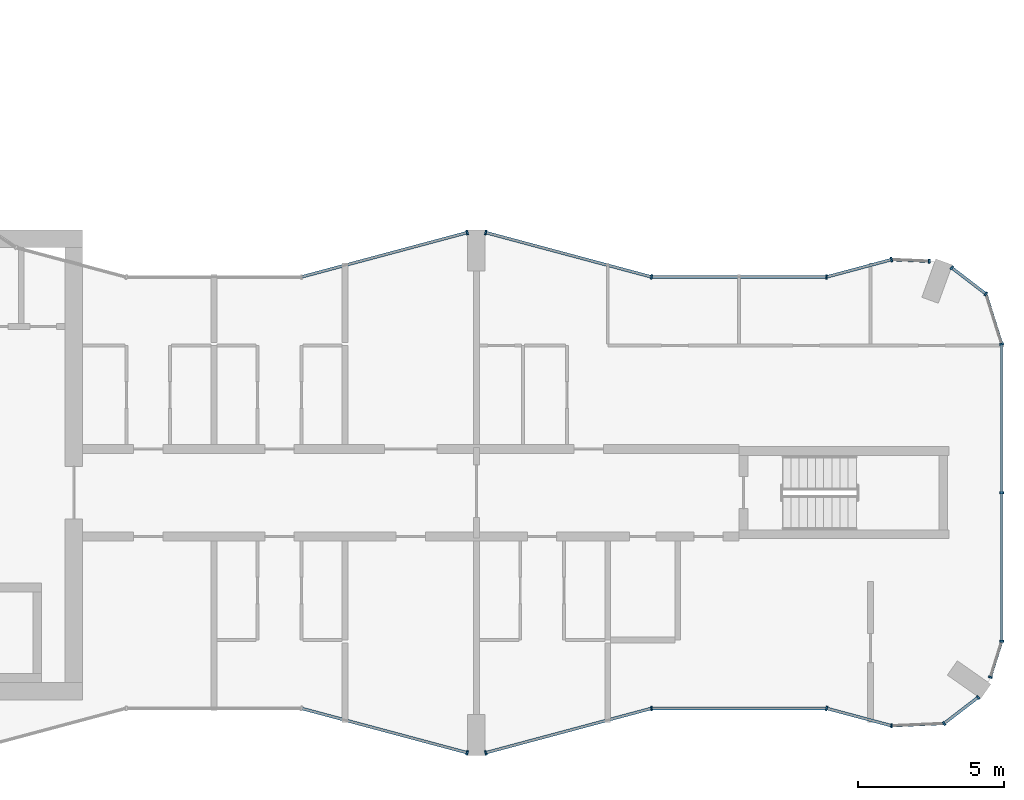
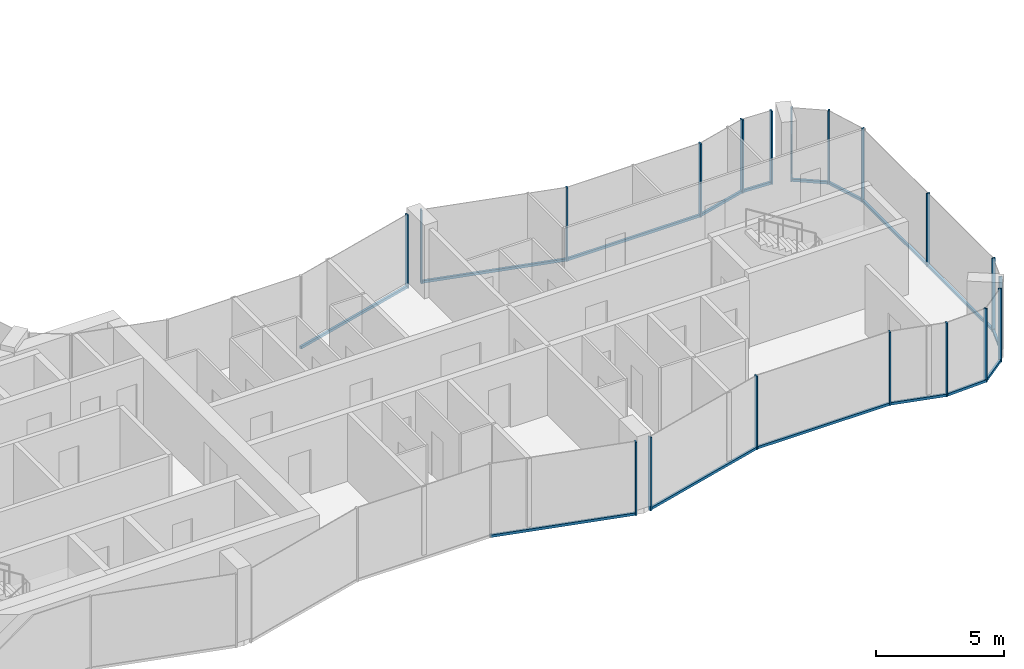
# One storey, part 6 of 16: 34 members, 15 elements without a shape of their own.
"""IFC4 building model written with IfcOpenShell, lengths in metres."""

from ifc_helpers import new_model, si_unit, direction, frame, origin, origin_2d, place, context, subcontext, project, spatial, rectangle, extrude, material, layer, layer_set, material_profile, profile_set, type_object, element, aggregate, save


model = new_model("IFC4")

# Units and contexts
model_context = context("Model", 3, precision=1e-05, world=origin(), true_north=direction((0.0, 1.0)))
body_context = subcontext(model_context, "Body", "Model", "MODEL_VIEW")
ifc_project = project(units=[si_unit("LENGTHUNIT", "METRE"), si_unit("AREAUNIT", "SQUARE_METRE"), si_unit("VOLUMEUNIT", "CUBIC_METRE"), si_unit("PLANEANGLEUNIT", "RADIAN"), si_unit("MASSUNIT", "GRAM", prefix="KILO")], contexts=[model_context])

# Site, building, storey
site_placement = place(None, origin())
site = spatial("IfcSite", under=ifc_project, at=site_placement, CompositionType="ELEMENT")
building_placement = place(site_placement, origin())
building = spatial("IfcBuilding", under=site, at=building_placement, Name="Plateau Cross Towers", CompositionType="ELEMENT")
storey_placement = place(building_placement, frame((0.0, 0.0, 167.39990234375)))
storey = spatial("IfcBuildingStorey", under=building, at=storey_placement, Name="L43", CompositionType="ELEMENT", Elevation=167.39990234375)

# Curtain wall, member
ifc_material_1 = material(Name="Dark low-iron glass", Category="glass")
ifc_layer_1 = layer(ifc_material_1, 0.239990234375)
ifc_layer_set_1 = layer_set([ifc_layer_1], Name="Dark low-iron glass")
curtain_wall_type_1 = type_object("IfcCurtainWallType", Name="Curtain wall flush unitised CW-B", PredefinedType="NOTDEFINED", material=ifc_layer_set_1)
curtain_wall_1_placement = place(storey_placement, origin())
curtain_wall_1 = element("IfcCurtainWall", 1, at=curtain_wall_1_placement, inside=storey, type_object=curtain_wall_type_1, Name="ENV/A/L43/A502_10", PredefinedType="NOTDEFINED")
ifc_material_2 = material(Name="Black anodised aluminium", Category="aluminium")
ifc_material_profile_1 = material_profile(ifc_material_2, rectangle(XDim=0.06005859375, YDim=0.139892578125, at=origin_2d()), Name="MULLION 60x140")
ifc_profile_set_1 = profile_set([ifc_material_profile_1], Name="Black anodised aluminium")
member_type_1 = type_object("IfcMemberType", Name="Mullion 60x140 flush unitised", PredefinedType="MULLION", material=ifc_profile_set_1)
member_1_placement = place(storey_placement, frame((50.223876953125, 1.01123046875, -0.25), z_axis=(0.0, 0.0, 1.0), x_axis=(0.999043701491, 0.043722791671, 0.0)))
member_1 = element("IfcMember", 2, at=member_1_placement, type_object=member_type_1, Name="CW-B mullion 1", PredefinedType="MULLION", context=body_context, shape_type="SweptSolid", body=[
    extrude(rectangle(XDim=0.06005859375, YDim=0.139892578125, at=origin_2d()), origin(), (0.0, 0.0, 1.0), 3.5),
])

# Curtain wall, members
curtain_wall_2_placement = place(storey_placement, origin())
curtain_wall_2 = element("IfcCurtainWall", 3, at=curtain_wall_2_placement, inside=storey, type_object=curtain_wall_type_1, Name="ENV/A/L43/A520_11", PredefinedType="NOTDEFINED")
member_2_placement = place(storey_placement, frame((52.0263671875, 1.090087890625, -0.25), z_axis=(0.0, 0.0, 1.0), x_axis=(0.793315514529, 0.608810721331, 0.0)))
member_2 = element("IfcMember", 4, at=member_2_placement, type_object=member_type_1, Name="CW-B mullion 1", PredefinedType="MULLION", context=body_context, shape_type="SweptSolid", body=[
    extrude(rectangle(XDim=0.06005859375, YDim=0.139892578125, at=origin_2d()), origin(), (0.0, 0.0, 1.0), 3.5),
])
member_3_placement = place(storey_placement, frame((53.193603515625, 1.986083984375, -0.25), z_axis=(0.0, 0.0, 1.0), x_axis=(0.793315514529, 0.608810721331, 0.0)))
member_3 = element("IfcMember", 5, at=member_3_placement, type_object=member_type_1, Name="CW-B mullion 2", PredefinedType="MULLION", context=body_context, shape_type="SweptSolid", body=[
    extrude(rectangle(XDim=0.06005859375, YDim=0.139892578125, at=origin_2d()), origin(), (0.0, 0.0, 1.0), 3.5),
])

# Curtain wall, member
curtain_wall_3_placement = place(storey_placement, origin())
curtain_wall_3 = element("IfcCurtainWall", 6, at=curtain_wall_3_placement, inside=storey, type_object=curtain_wall_type_1, Name="ENV/A/L43/A536_27", PredefinedType="NOTDEFINED")
member_4_placement = place(storey_placement, frame((53.611083984375, 2.67529296875, -0.25), z_axis=(0.0, 0.0, 1.0), x_axis=(0.300686174994, 0.95372313811, 0.0)))
member_4 = element("IfcMember", 7, at=member_4_placement, type_object=member_type_1, Name="CW-B mullion 1", PredefinedType="MULLION", context=body_context, shape_type="SweptSolid", body=[
    extrude(rectangle(XDim=0.06005859375, YDim=0.139892578125, at=origin_2d()), origin(), (0.0, 0.0, 1.0), 3.5),
])

# Curtain wall, members
curtain_wall_4_placement = place(storey_placement, origin())
curtain_wall_4 = element("IfcCurtainWall", 8, at=curtain_wall_4_placement, inside=storey, type_object=curtain_wall_type_1, Name="ENV/A/L43/A540_39", PredefinedType="NOTDEFINED")
member_5_placement = place(storey_placement, frame((54.0, 3.9091796875, -0.25), z_axis=(0.0, 0.0, 1.0), x_axis=(0.0, 1.0, 0.0)))
member_5 = element("IfcMember", 9, at=member_5_placement, type_object=member_type_1, Name="CW-B mullion 1", PredefinedType="MULLION", context=body_context, shape_type="SweptSolid", body=[
    extrude(rectangle(XDim=0.06005859375, YDim=0.139892578125, at=origin_2d()), origin(), (0.0, 0.0, 1.0), 3.5),
])
member_6_placement = place(storey_placement, frame((54.0, 9.0, -0.25), z_axis=(0.0, 0.0, 1.0), x_axis=(0.0, 1.0, 0.0)))
member_6 = element("IfcMember", 10, at=member_6_placement, type_object=member_type_1, Name="CW-B mullion 2", PredefinedType="MULLION", context=body_context, shape_type="SweptSolid", body=[
    extrude(rectangle(XDim=0.06005859375, YDim=0.139892578125, at=origin_2d()), origin(), (0.0, 0.0, 1.0), 3.5),
])

# Curtain wall, member
curtain_wall_5_placement = place(storey_placement, origin())
curtain_wall_5 = element("IfcCurtainWall", 11, at=curtain_wall_5_placement, inside=storey, type_object=curtain_wall_type_1, Name="ENV/A/L43/A540_141", PredefinedType="NOTDEFINED")
member_7_placement = place(storey_placement, frame((54.0, 14.0908203125, -0.25), z_axis=(0.0, 0.0, 1.0), x_axis=(-0.300686174994, 0.95372313811, 0.0)))
member_7 = element("IfcMember", 12, at=member_7_placement, type_object=member_type_1, Name="CW-B mullion 1", PredefinedType="MULLION", context=body_context, shape_type="SweptSolid", body=[
    extrude(rectangle(XDim=0.06005859375, YDim=0.139892578125, at=origin_2d()), origin(), (0.0, 0.0, 1.0), 3.5),
])

# Curtain wall, members
curtain_wall_6_placement = place(storey_placement, origin())
curtain_wall_6 = element("IfcCurtainWall", 13, at=curtain_wall_6_placement, inside=storey, type_object=curtain_wall_type_1, Name="ENV/A/L43/A535_158", PredefinedType="NOTDEFINED")
member_8_placement = place(storey_placement, frame((53.45751953125, 15.8115234375, -0.25), z_axis=(0.0, 0.0, 1.0), x_axis=(-0.793315514529, 0.608810721331, 0.0)))
member_8 = element("IfcMember", 14, at=member_8_placement, type_object=member_type_1, Name="CW-B mullion 1", PredefinedType="MULLION", context=body_context, shape_type="SweptSolid", body=[
    extrude(rectangle(XDim=0.06005859375, YDim=0.139892578125, at=origin_2d()), origin(), (0.0, 0.0, 1.0), 3.5),
])
member_9_placement = place(storey_placement, frame((52.290283203125, 16.707275390625, -0.25), z_axis=(0.0, 0.0, 1.0), x_axis=(-0.793315514529, 0.608810721331, 0.0)))
member_9 = element("IfcMember", 15, at=member_9_placement, type_object=member_type_1, Name="CW-B mullion 2", PredefinedType="MULLION", context=body_context, shape_type="SweptSolid", body=[
    extrude(rectangle(XDim=0.06005859375, YDim=0.139892578125, at=origin_2d()), origin(), (0.0, 0.0, 1.0), 3.5),
])

# Curtain wall, member
curtain_wall_7_placement = place(storey_placement, origin())
curtain_wall_7 = element("IfcCurtainWall", 16, at=curtain_wall_7_placement, inside=storey, type_object=curtain_wall_type_1, Name="ENV/A/L43/A515_169", PredefinedType="NOTDEFINED")
member_10_placement = place(storey_placement, frame((51.516357421875, 16.93212890625, -0.25), z_axis=(0.0, 0.0, 1.0), x_axis=(-0.999043701491, 0.043722791671, 0.0)))
member_10 = element("IfcMember", 17, at=member_10_placement, type_object=member_type_1, Name="CW-B mullion 1", PredefinedType="MULLION", context=body_context, shape_type="SweptSolid", body=[
    extrude(rectangle(XDim=0.06005859375, YDim=0.139892578125, at=origin_2d()), origin(), (0.0, 0.0, 1.0), 3.5),
])

ifc_layer_2 = layer(ifc_material_1, 0.260009765625)
ifc_layer_set_2 = layer_set([ifc_layer_2], Name="Dark low-iron glass")
curtain_wall_type_2 = type_object("IfcCurtainWallType", Name="Curtain wall fluted unitised CW-A", PredefinedType="NOTDEFINED", material=ifc_layer_set_2)
curtain_wall_8_placement = place(storey_placement, origin())
curtain_wall_8 = element("IfcCurtainWall", 18, at=curtain_wall_8_placement, inside=storey, type_object=curtain_wall_type_2, Name="ENV/A/L43/A300_16", PredefinedType="NOTDEFINED")
ifc_material_profile_2 = material_profile(ifc_material_2, rectangle(XDim=0.06005859375, YDim=0.159912109375, at=origin_2d()), Name="MULLION 60x160")
ifc_profile_set_2 = profile_set([ifc_material_profile_2], Name="Black anodised aluminium")
member_type_2 = type_object("IfcMemberType", Name="Mullion 60x160 fluted unitised", PredefinedType="MULLION", material=ifc_profile_set_2)
member_11_placement = place(storey_placement, frame((35.68212890625, 0.085205078125, -0.25), z_axis=(0.0, 0.0, 1.0), x_axis=(0.965957983404, -0.258699003279, 0.0)))
member_11 = element("IfcMember", 19, at=member_11_placement, type_object=member_type_2, Name="CW-A mullion 2", PredefinedType="MULLION", context=body_context, shape_type="SweptSolid", body=[
    extrude(rectangle(XDim=0.06005859375, YDim=0.159912109375, at=origin_2d()), origin(), (0.0, 0.0, 1.0), 3.5),
])

curtain_wall_9_placement = place(storey_placement, origin())
curtain_wall_9 = element("IfcCurtainWall", 20, at=curtain_wall_9_placement, inside=storey, type_object=curtain_wall_type_2, Name="ENV/A/L43/A363_1", PredefinedType="NOTDEFINED")
member_12_placement = place(storey_placement, frame((36.31787109375, 0.085205078125, -0.25), z_axis=(0.0, 0.0, 1.0), x_axis=(0.965957983404, 0.258699003279, 0.0)))
member_12 = element("IfcMember", 21, at=member_12_placement, type_object=member_type_2, Name="CW-A mullion 1", PredefinedType="MULLION", context=body_context, shape_type="SweptSolid", body=[
    extrude(rectangle(XDim=0.06005859375, YDim=0.159912109375, at=origin_2d()), origin(), (0.0, 0.0, 1.0), 3.5),
])

curtain_wall_10_placement = place(storey_placement, origin())
curtain_wall_10 = element("IfcCurtainWall", 22, at=curtain_wall_10_placement, inside=storey, type_object=curtain_wall_type_2, Name="ENV/A/L43/A420_16", PredefinedType="NOTDEFINED")
member_13_placement = place(storey_placement, frame((42.0, 1.60693359375, -0.25), z_axis=(0.0, 0.0, 1.0), x_axis=(1.0, 0.0, 0.0)))
member_13 = element("IfcMember", 23, at=member_13_placement, type_object=member_type_2, Name="CW-A mullion 1", PredefinedType="MULLION", context=body_context, shape_type="SweptSolid", body=[
    extrude(rectangle(XDim=0.06005859375, YDim=0.159912109375, at=origin_2d()), origin(), (0.0, 0.0, 1.0), 3.5),
])

curtain_wall_11_placement = place(storey_placement, origin())
curtain_wall_11 = element("IfcCurtainWall", 24, at=curtain_wall_11_placement, inside=storey, type_object=curtain_wall_type_2, Name="ENV/A/L43/A480_16", PredefinedType="NOTDEFINED")
member_14_placement = place(storey_placement, frame((48.0, 1.60693359375, -0.25), z_axis=(0.0, 0.0, 1.0), x_axis=(0.965957962328, -0.258699081978, 0.0)))
member_14 = element("IfcMember", 25, at=member_14_placement, type_object=member_type_2, Name="CW-A mullion 1", PredefinedType="MULLION", context=body_context, shape_type="SweptSolid", body=[
    extrude(rectangle(XDim=0.06005859375, YDim=0.159912109375, at=origin_2d()), origin(), (0.0, 0.0, 1.0), 3.5),
])

curtain_wall_12_placement = place(storey_placement, origin())
curtain_wall_12 = element("IfcCurtainWall", 26, at=curtain_wall_12_placement, inside=storey, type_object=curtain_wall_type_2, Name="ENV/A/L43/A502_170", PredefinedType="NOTDEFINED")
member_15_placement = place(storey_placement, frame((50.223876953125, 16.98876953125, -0.25), z_axis=(0.0, 0.0, 1.0), x_axis=(-0.965957962328, -0.258699081978, 0.0)))
member_15 = element("IfcMember", 27, at=member_15_placement, type_object=member_type_2, Name="CW-A mullion 1", PredefinedType="MULLION", context=body_context, shape_type="SweptSolid", body=[
    extrude(rectangle(XDim=0.06005859375, YDim=0.159912109375, at=origin_2d()), origin(), (0.0, 0.0, 1.0), 3.5),
])

curtain_wall_13_placement = place(storey_placement, origin())
curtain_wall_13 = element("IfcCurtainWall", 28, at=curtain_wall_13_placement, inside=storey, type_object=curtain_wall_type_2, Name="ENV/A/L43/A480_164", PredefinedType="NOTDEFINED")
member_16_placement = place(storey_placement, frame((48.0, 16.39306640625, -0.25), z_axis=(0.0, 0.0, 1.0), x_axis=(-1.0, 0.0, 0.0)))
member_16 = element("IfcMember", 29, at=member_16_placement, type_object=member_type_2, Name="CW-A mullion 1", PredefinedType="MULLION", context=body_context, shape_type="SweptSolid", body=[
    extrude(rectangle(XDim=0.06005859375, YDim=0.159912109375, at=origin_2d()), origin(), (0.0, 0.0, 1.0), 3.5),
])

# Curtain wall, members
curtain_wall_14_placement = place(storey_placement, origin())
curtain_wall_14 = element("IfcCurtainWall", 30, at=curtain_wall_14_placement, inside=storey, type_object=curtain_wall_type_2, Name="ENV/A/L43/A420_164", PredefinedType="NOTDEFINED")
member_17_placement = place(storey_placement, frame((42.0, 16.39306640625, -0.25), z_axis=(0.0, 0.0, 1.0), x_axis=(-0.965957983404, 0.258699003279, 0.0)))
member_17 = element("IfcMember", 31, at=member_17_placement, type_object=member_type_2, Name="CW-A mullion 1", PredefinedType="MULLION", context=body_context, shape_type="SweptSolid", body=[
    extrude(rectangle(XDim=0.06005859375, YDim=0.159912109375, at=origin_2d()), origin(), (0.0, 0.0, 1.0), 3.5),
])
member_18_placement = place(storey_placement, frame((36.31787109375, 17.914794921875, -0.25), z_axis=(0.0, 0.0, 1.0), x_axis=(-0.965957983404, 0.258699003279, 0.0)))
member_18 = element("IfcMember", 32, at=member_18_placement, type_object=member_type_2, Name="CW-A mullion 2", PredefinedType="MULLION", context=body_context, shape_type="SweptSolid", body=[
    extrude(rectangle(XDim=0.06005859375, YDim=0.159912109375, at=origin_2d()), origin(), (0.0, 0.0, 1.0), 3.5),
])

# Curtain wall, member
curtain_wall_15_placement = place(storey_placement, origin())
curtain_wall_15 = element("IfcCurtainWall", 33, at=curtain_wall_15_placement, inside=storey, type_object=curtain_wall_type_2, Name="ENV/A/L43/A357_179", PredefinedType="NOTDEFINED")
member_19_placement = place(storey_placement, frame((35.68212890625, 17.914794921875, -0.25), z_axis=(0.0, 0.0, 1.0), x_axis=(-0.965957983404, -0.258699003279, 0.0)))
member_19 = element("IfcMember", 34, at=member_19_placement, type_object=member_type_2, Name="CW-A mullion 1", PredefinedType="MULLION", context=body_context, shape_type="SweptSolid", body=[
    extrude(rectangle(XDim=0.06005859375, YDim=0.159912109375, at=origin_2d()), origin(), (0.0, 0.0, 1.0), 3.5),
])

# Member
ifc_material_profile_3 = material_profile(ifc_material_2, rectangle(XDim=0.10009765625, YDim=0.1201171875, at=origin_2d()), Name="TRANSOM 100x120")
ifc_profile_set_3 = profile_set([ifc_material_profile_3], Name="Black anodised aluminium")
member_type_3 = type_object("IfcMemberType", Name="Transom 100x120 flush unitised", PredefinedType="USERDEFINED", material=ifc_profile_set_3)
member_20_placement = place(storey_placement, frame((50.223876953125, 1.01123046875, -0.18994140625), z_axis=(0.999044377355, 0.043707345779, 0.0), x_axis=(-0.043707345779, 0.999044377355, 0.0)))
member_20 = element("IfcMember", 35, at=member_20_placement, type_object=member_type_3, Name="CW-B transom", ObjectType="TRANSOM", PredefinedType="USERDEFINED", context=body_context, shape_type="SweptSolid", body=[
    extrude(rectangle(XDim=0.10009765625, YDim=0.1201171875, at=origin_2d()), origin(), (0.0, 0.0, 1.0), 1.80419921875),
])

aggregate(curtain_wall_1, [member_1, member_20])

member_21_placement = place(storey_placement, frame((52.0263671875, 1.090087890625, -0.18994140625), z_axis=(0.793240368515, 0.608908628415, 0.0), x_axis=(-0.608908628415, 0.793240368515, 0.0)))
member_21 = element("IfcMember", 36, at=member_21_placement, type_object=member_type_3, Name="CW-B transom", ObjectType="TRANSOM", PredefinedType="USERDEFINED", context=body_context, shape_type="SweptSolid", body=[
    extrude(rectangle(XDim=0.10009765625, YDim=0.1201171875, at=origin_2d()), origin(), (0.0, 0.0, 1.0), 1.471435546875),
])

aggregate(curtain_wall_2, [member_2, member_3, member_21])

member_22_placement = place(storey_placement, frame((53.611083984375, 2.67529296875, -0.18994140625), z_axis=(0.300616528216, 0.953745093284, 0.0), x_axis=(-0.953745093284, 0.300616528216, 0.0)))
member_22 = element("IfcMember", 37, at=member_22_placement, type_object=member_type_3, Name="CW-B transom", ObjectType="TRANSOM", PredefinedType="USERDEFINED", context=body_context, shape_type="SweptSolid", body=[
    extrude(rectangle(XDim=0.10009765625, YDim=0.1201171875, at=origin_2d()), origin(), (0.0, 0.0, 1.0), 1.293701171875),
])

aggregate(curtain_wall_3, [member_4, member_22])

member_23_placement = place(storey_placement, frame((54.0, 3.9091796875, -0.18994140625), z_axis=(0.0, 1.0, 0.0), x_axis=(-1.0, 0.0, 0.0)))
member_23 = element("IfcMember", 38, at=member_23_placement, type_object=member_type_3, Name="CW-B transom", ObjectType="TRANSOM", PredefinedType="USERDEFINED", context=body_context, shape_type="SweptSolid", body=[
    extrude(rectangle(XDim=0.10009765625, YDim=0.1201171875, at=origin_2d()), origin(), (0.0, 0.0, 1.0), 10.181640625),
])

aggregate(curtain_wall_4, [member_5, member_6, member_23])

member_24_placement = place(storey_placement, frame((54.0, 14.0908203125, -0.18994140625), z_axis=(-0.30067799945, 0.953725715626, 0.0), x_axis=(-0.953725715626, -0.30067799945, 0.0)))
member_24 = element("IfcMember", 39, at=member_24_placement, type_object=member_type_3, Name="CW-B transom", ObjectType="TRANSOM", PredefinedType="USERDEFINED", context=body_context, shape_type="SweptSolid", body=[
    extrude(rectangle(XDim=0.10009765625, YDim=0.1201171875, at=origin_2d()), origin(), (0.0, 0.0, 1.0), 1.80419921875),
])

aggregate(curtain_wall_5, [member_7, member_24])

member_25_placement = place(storey_placement, frame((53.45751953125, 15.8115234375, -0.18994140625), z_axis=(-0.793320508571, 0.608804213751, 0.0), x_axis=(-0.608804213751, -0.793320508571, 0.0)))
member_25 = element("IfcMember", 40, at=member_25_placement, type_object=member_type_3, Name="CW-B transom", ObjectType="TRANSOM", PredefinedType="USERDEFINED", context=body_context, shape_type="SweptSolid", body=[
    extrude(rectangle(XDim=0.10009765625, YDim=0.1201171875, at=origin_2d()), origin(), (0.0, 0.0, 1.0), 1.471435546875),
])

aggregate(curtain_wall_6, [member_8, member_9, member_25])

member_26_placement = place(storey_placement, frame((51.516357421875, 16.93212890625, -0.18994140625), z_axis=(-0.999041144614, 0.043781175963, 0.0), x_axis=(-0.043781175963, -0.999041144614, 0.0)))
member_26 = element("IfcMember", 41, at=member_26_placement, type_object=member_type_3, Name="CW-B transom", ObjectType="TRANSOM", PredefinedType="USERDEFINED", context=body_context, shape_type="SweptSolid", body=[
    extrude(rectangle(XDim=0.10009765625, YDim=0.1201171875, at=origin_2d()), origin(), (0.0, 0.0, 1.0), 1.293701171875),
])

aggregate(curtain_wall_7, [member_10, member_26])

ifc_material_profile_4 = material_profile(ifc_material_2, rectangle(XDim=0.10009765625, YDim=0.1201171875, at=origin_2d()), Name="TRANSOM 100x120")
ifc_profile_set_4 = profile_set([ifc_material_profile_4], Name="Black anodised aluminium")
member_type_4 = type_object("IfcMemberType", Name="Transom 100x120 fluted unitised", PredefinedType="USERDEFINED", material=ifc_profile_set_4)
member_27_placement = place(storey_placement, frame((30.0, 1.60693359375, -0.18994140625), z_axis=(0.965959534794, -0.258693210465, 0.0), x_axis=(0.258693210465, 0.965959534794, 0.0)))
member_27 = element("IfcMember", 42, at=member_27_placement, type_object=member_type_4, Name="CW-A transom", ObjectType="TRANSOM", PredefinedType="USERDEFINED", context=body_context, shape_type="SweptSolid", body=[
    extrude(rectangle(XDim=0.10009765625, YDim=0.1201171875, at=origin_2d()), origin(), (0.0, 0.0, 1.0), 5.88232421875),
])

aggregate(curtain_wall_8, [member_11, member_27])

member_28_placement = place(storey_placement, frame((36.31787109375, 0.085205078125, -0.18994140625), z_axis=(0.965959534794, 0.258693210465, 0.0), x_axis=(-0.258693210465, 0.965959534794, 0.0)))
member_28 = element("IfcMember", 43, at=member_28_placement, type_object=member_type_4, Name="CW-A transom", ObjectType="TRANSOM", PredefinedType="USERDEFINED", context=body_context, shape_type="SweptSolid", body=[
    extrude(rectangle(XDim=0.10009765625, YDim=0.1201171875, at=origin_2d()), origin(), (0.0, 0.0, 1.0), 5.88232421875),
])

aggregate(curtain_wall_9, [member_12, member_28])

member_29_placement = place(storey_placement, frame((42.0, 1.60693359375, -0.18994140625), z_axis=(1.0, 0.0, 0.0), x_axis=(0.0, 1.0, 0.0)))
member_29 = element("IfcMember", 44, at=member_29_placement, type_object=member_type_4, Name="CW-A transom", ObjectType="TRANSOM", PredefinedType="USERDEFINED", context=body_context, shape_type="SweptSolid", body=[
    extrude(rectangle(XDim=0.10009765625, YDim=0.1201171875, at=origin_2d()), origin(), (0.0, 0.0, 1.0), 6.0),
])

aggregate(curtain_wall_10, [member_13, member_29])

member_30_placement = place(storey_placement, frame((48.0, 1.60693359375, -0.18994140625), z_axis=(0.965945685136, -0.258744919501, 0.0), x_axis=(0.258744919501, 0.965945685136, 0.0)))
member_30 = element("IfcMember", 45, at=member_30_placement, type_object=member_type_4, Name="CW-A transom", ObjectType="TRANSOM", PredefinedType="USERDEFINED", context=body_context, shape_type="SweptSolid", body=[
    extrude(rectangle(XDim=0.10009765625, YDim=0.1201171875, at=origin_2d()), origin(), (0.0, 0.0, 1.0), 2.30224609375),
])

aggregate(curtain_wall_11, [member_14, member_30])

member_31_placement = place(storey_placement, frame((50.223876953125, 16.98876953125, -0.18994140625), z_axis=(-0.965945685136, -0.258744919501, 0.0), x_axis=(0.258744919501, -0.965945685136, 0.0)))
member_31 = element("IfcMember", 46, at=member_31_placement, type_object=member_type_4, Name="CW-A transom", ObjectType="TRANSOM", PredefinedType="USERDEFINED", context=body_context, shape_type="SweptSolid", body=[
    extrude(rectangle(XDim=0.10009765625, YDim=0.1201171875, at=origin_2d()), origin(), (0.0, 0.0, 1.0), 2.30224609375),
])

aggregate(curtain_wall_12, [member_15, member_31])

member_32_placement = place(storey_placement, frame((48.0, 16.39306640625, -0.18994140625), z_axis=(-1.0, 0.0, 0.0), x_axis=(0.0, -1.0, 0.0)))
member_32 = element("IfcMember", 47, at=member_32_placement, type_object=member_type_4, Name="CW-A transom", ObjectType="TRANSOM", PredefinedType="USERDEFINED", context=body_context, shape_type="SweptSolid", body=[
    extrude(rectangle(XDim=0.10009765625, YDim=0.1201171875, at=origin_2d()), origin(), (0.0, 0.0, 1.0), 6.0),
])

aggregate(curtain_wall_13, [member_16, member_32])

member_33_placement = place(storey_placement, frame((42.0, 16.39306640625, -0.18994140625), z_axis=(-0.965959534794, 0.258693210465, 0.0), x_axis=(-0.258693210465, -0.965959534794, 0.0)))
member_33 = element("IfcMember", 48, at=member_33_placement, type_object=member_type_4, Name="CW-A transom", ObjectType="TRANSOM", PredefinedType="USERDEFINED", context=body_context, shape_type="SweptSolid", body=[
    extrude(rectangle(XDim=0.10009765625, YDim=0.1201171875, at=origin_2d()), origin(), (0.0, 0.0, 1.0), 5.88232421875),
])

aggregate(curtain_wall_14, [member_17, member_18, member_33])

member_34_placement = place(storey_placement, frame((35.68212890625, 17.914794921875, -0.18994140625), z_axis=(-0.965959534794, -0.258693210465, 0.0), x_axis=(0.258693210465, -0.965959534794, 0.0)))
member_34 = element("IfcMember", 49, at=member_34_placement, type_object=member_type_4, Name="CW-A transom", ObjectType="TRANSOM", PredefinedType="USERDEFINED", context=body_context, shape_type="SweptSolid", body=[
    extrude(rectangle(XDim=0.10009765625, YDim=0.1201171875, at=origin_2d()), origin(), (0.0, 0.0, 1.0), 5.88232421875),
])

aggregate(curtain_wall_15, [member_19, member_34])

save(model, "model.ifc")
